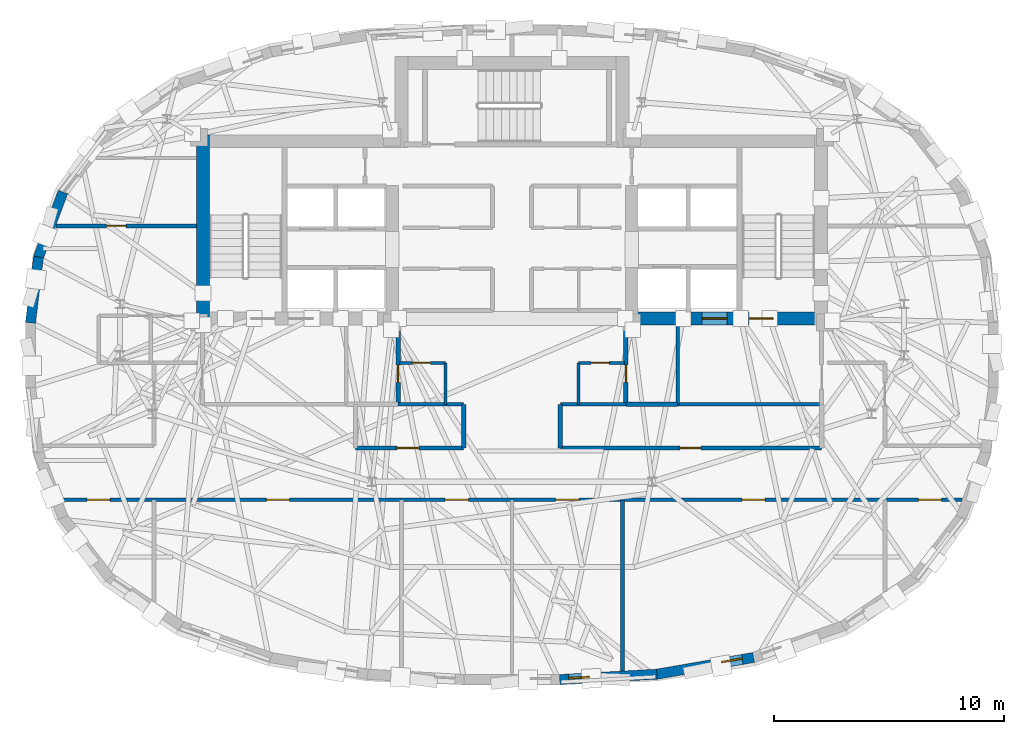
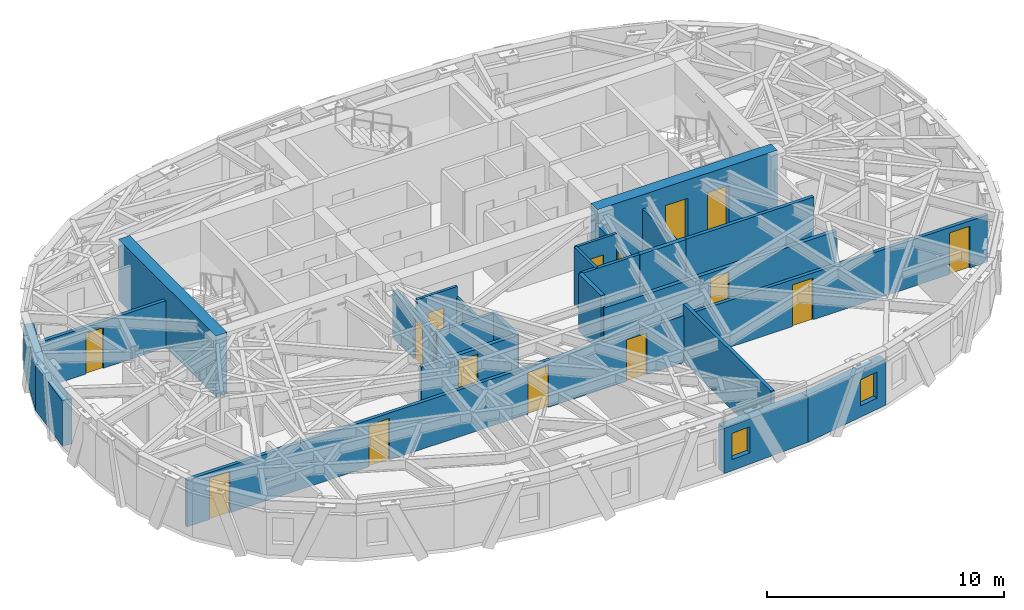
# One storey, part 6 of 12: 24 walls, 15 doors, 2 windows, 17 openings.
"""IFC4 building model written with IfcOpenShell, lengths in metres."""

from ifc_helpers import new_model, si_unit, direction, frame, frame_2d, origin, place, context, subcontext, project, spatial, rectangle, extrude, material, layer, layer_set, type_object, element, fill, save


model = new_model("IFC4")

# Units and contexts
model_context = context("Model", 3, precision=1e-05, world=origin(), true_north=direction((0.0, 1.0)))
body_context = subcontext(model_context, "Body", "Model", "MODEL_VIEW")
ifc_project = project(units=[si_unit("LENGTHUNIT", "METRE"), si_unit("AREAUNIT", "SQUARE_METRE"), si_unit("VOLUMEUNIT", "CUBIC_METRE"), si_unit("PLANEANGLEUNIT", "RADIAN"), si_unit("MASSUNIT", "GRAM", prefix="KILO")], contexts=[model_context])

# Site, building, storey
site_placement = place(None, origin())
site = spatial("IfcSite", under=ifc_project, at=site_placement, CompositionType="ELEMENT")
building_placement = place(site_placement, origin())
building = spatial("IfcBuilding", under=site, at=building_placement, Name="Keldmark Tower", CompositionType="ELEMENT")
storey_placement = place(building_placement, frame((0.0, 0.0, 247.800048828125)))
storey = spatial("IfcBuildingStorey", under=building, at=storey_placement, Name="L70", CompositionType="ELEMENT", Elevation=247.800048828125)

# Wall, opening, door
ifc_material_1 = material(Name="Heavy Acoustic Plumbing Chase Gypsum Assembly", Category="gypsum")
ifc_layer_1 = layer(ifc_material_1, 0.18994140625)
ifc_layer_set_1 = layer_set([ifc_layer_1], Name="Heavy Acoustic Plumbing Chase Gypsum Assembly")
wall_type_1 = type_object("IfcWallType", Name="Heavy Wet Wall 190 mm", PredefinedType="PLUMBINGWALL", material=ifc_layer_set_1)
wall_1_placement = place(storey_placement, frame((-6.800048828125, -4.050048828125, 0.0), z_axis=(0.0, 0.0, 1.0), x_axis=(1.0, 0.0, 0.0)))
wall_1 = element("IfcWall", 1, at=wall_1_placement, inside=storey, type_object=wall_type_1, Name="L70 Heavy Wet Wall 190 mm SPK-W-S", PredefinedType="PLUMBINGWALL", context=body_context, shape_type="SweptSolid", body=[
    extrude(rectangle(XDim=4.699951171875, YDim=0.18994140625, at=frame_2d((2.35009765625, 0.0))), origin(), (0.0, 0.0, 1.0), 2.4228515625),
])
opening_1_placement = place(wall_1_placement, frame((1.800048828125, 0.0, 0.0)))
opening_1 = element("IfcOpeningElement", 2, at=opening_1_placement, cuts=wall_1, Name="Opening D-AWC95", PredefinedType="OPENING", context=body_context, shape_type="SweptSolid", body=[
    extrude(rectangle(XDim=0.949951171875, YDim=2.14990234375, at=frame_2d((0.47509765625, 1.074951171875))), frame((0.0, 0.10498046875, 0.0), z_axis=(0.0, -1.0, 0.0), x_axis=(1.0, 0.0, 0.0)), (0.0, 0.0, 1.0), 0.2099609375),
])
ifc_material_2 = material(Name="Painted Solid-Core Architectural Wood", Category="wood")
door_type_1 = type_object("IfcDoorType", Name="Accessible WC Door 950x2150", OperationType="NOTDEFINED", PredefinedType="DOOR", material=ifc_material_2)
door_1_placement = place(opening_1_placement, origin())
door_1 = element("IfcDoor", 3, at=door_1_placement, inside=storey, type_object=door_type_1, Name="L70 Accessible WC Door 950x2150 D-SPKW1-L70", OperationType="SINGLE_SWING_LEFT", OverallHeight=2.14990234375, OverallWidth=0.949951171875, PredefinedType="DOOR", context=body_context, shape_type="SweptSolid", body=[
    extrude(rectangle(XDim=0.949951171875, YDim=2.14990234375, at=frame_2d((0.47509765625, 1.074951171875))), frame((0.0, 0.02490234375, 0.0), z_axis=(0.0, -1.0, 0.0), x_axis=(1.0, 0.0, 0.0)), (0.0, 0.0, 1.0), 0.050048828125),
])
fill(opening_1, door_1)

# Wall
wall_2_placement = place(storey_placement, frame((-2.10009765625, -4.050048828125, 0.0), z_axis=(0.0, 0.0, 1.0), x_axis=(0.0, 1.0, 0.0)))
element("IfcWall", 4, at=wall_2_placement, inside=storey, type_object=wall_type_1, Name="L70 Heavy Wet Wall 190 mm SPK-W-E", PredefinedType="PLUMBINGWALL", context=body_context, shape_type="SweptSolid", body=[
    extrude(rectangle(XDim=1.900146484375, YDim=0.18994140625, at=frame_2d((0.9501953125, 0.0))), origin(), (0.0, 0.0, 1.0), 2.4228515625),
])

# Wall, opening, door
wall_3_placement = place(storey_placement, frame((2.10009765625, -4.050048828125, 0.0), z_axis=(0.0, 0.0, 1.0), x_axis=(1.0, 0.0, 0.0)))
wall_3 = element("IfcWall", 5, at=wall_3_placement, inside=storey, type_object=wall_type_1, Name="L70 Heavy Wet Wall 190 mm SPK-E-S", PredefinedType="PLUMBINGWALL", context=body_context, shape_type="SweptSolid", body=[
    extrude(rectangle(XDim=11.349853515625, YDim=0.18994140625, at=frame_2d((5.6748046875, 0.0))), origin(), (0.0, 0.0, 1.0), 2.35693359375),
])
opening_2_placement = place(wall_3_placement, frame((5.199951171875, 0.0, 0.0)))
opening_2 = element("IfcOpeningElement", 6, at=opening_2_placement, cuts=wall_3, Name="Opening D-IN090", PredefinedType="OPENING", context=body_context, shape_type="SweptSolid", body=[
    extrude(rectangle(XDim=0.89990234375, YDim=2.10009765625, at=frame_2d((0.449951171875, 1.050048828125))), frame((0.0, 0.10498046875, 0.0), z_axis=(0.0, -1.0, 0.0), x_axis=(1.0, 0.0, 0.0)), (0.0, 0.0, 1.0), 0.2099609375),
])
ifc_material_3 = material(Name="Stained American White Oak Veneer", Category="wood")
door_type_2 = type_object("IfcDoorType", Name="Interior Door 900x2100", OperationType="NOTDEFINED", PredefinedType="DOOR", material=ifc_material_3)
door_2_placement = place(opening_2_placement, origin())
door_2 = element("IfcDoor", 7, at=door_2_placement, inside=storey, type_object=door_type_2, Name="L70 Interior Door 900x2100 D-SPKE1-L70", OperationType="SINGLE_SWING_RIGHT", OverallHeight=2.10009765625, OverallWidth=0.89990234375, PredefinedType="DOOR", context=body_context, shape_type="SweptSolid", body=[
    extrude(rectangle(XDim=0.89990234375, YDim=2.10009765625, at=frame_2d((0.449951171875, 1.050048828125))), frame((0.0, 0.02490234375, 0.0), z_axis=(0.0, -1.0, 0.0), x_axis=(1.0, 0.0, 0.0)), (0.0, 0.0, 1.0), 0.050048828125),
])
fill(opening_2, door_2)

# Walls
wall_4_placement = place(storey_placement, frame((2.10009765625, -4.050048828125, 0.0), z_axis=(0.0, 0.0, 1.0), x_axis=(0.0, 1.0, 0.0)))
element("IfcWall", 8, at=wall_4_placement, inside=storey, type_object=wall_type_1, Name="L70 Heavy Wet Wall 190 mm SPK-E-W", PredefinedType="PLUMBINGWALL", context=body_context, shape_type="SweptSolid", body=[
    extrude(rectangle(XDim=1.900146484375, YDim=0.18994140625, at=frame_2d((0.9501953125, 0.0))), origin(), (0.0, 0.0, 1.0), 2.969970703125),
])
ifc_material_4 = material(Name="Concrete C50/60", Category="concrete")
ifc_layer_2 = layer(ifc_material_4, 0.550048828125)
ifc_layer_set_2 = layer_set([ifc_layer_2], Name="Concrete C50/60")
wall_type_2 = type_object("IfcWallType", Name="High-Rise Core Shear Wall 550 mm", PredefinedType="SHEAR", material=ifc_layer_set_2)
wall_5_placement = place(storey_placement, frame((-13.425048828125, 1.300048828125, 0.0), z_axis=(0.0, 0.0, 1.0), x_axis=(0.0, 1.0, 0.0)))
element("IfcWall", 9, at=wall_5_placement, inside=storey, type_object=wall_type_2, Name="L70 West Core Outer Shear Wall", PredefinedType="SHEAR", context=body_context, shape_type="SweptSolid", body=[
    extrude(rectangle(XDim=8.25, YDim=0.550048828125, at=frame_2d((4.125, 0.0))), origin(), (0.0, 0.0, 1.0), 3.14990234375),
])

# Wall, openings, doors
wall_6_placement = place(storey_placement, frame((13.699951171875, 1.574951171875, 0.0), z_axis=(0.0, 0.0, 1.0), x_axis=(-1.0, 0.0, 0.0)))
wall_6 = element("IfcWall", 10, at=wall_6_placement, inside=storey, type_object=wall_type_2, Name="L70 East Core South Shear Wall", PredefinedType="SHEAR", context=body_context, shape_type="SweptSolid", body=[
    extrude(rectangle(XDim=8.77490234375, YDim=0.550048828125, at=frame_2d((4.387451171875, 0.0))), origin(), (0.0, 0.0, 1.0), 3.14990234375),
])
opening_3_placement = place(wall_6_placement, frame((2.35009765625, 0.0, 0.0)))
opening_3 = element("IfcOpeningElement", 11, at=opening_3_placement, cuts=wall_6, Name="Opening D-ST105", PredefinedType="OPENING", context=body_context, shape_type="SweptSolid", body=[
    extrude(rectangle(XDim=1.050048828125, YDim=2.14990234375, at=frame_2d((0.52490234375, 1.074951171875))), frame((0.0, 0.284912109375, 0.0), z_axis=(0.0, -1.0, 0.0), x_axis=(1.0, 0.0, 0.0)), (0.0, 0.0, 1.0), 0.570068359375),
])
opening_4_placement = place(wall_6_placement, frame((4.35009765625, 0.0, 0.0)))
opening_4 = element("IfcOpeningElement", 12, at=opening_4_placement, cuts=wall_6, Name="Opening LD-110", PredefinedType="OPENING", context=body_context, shape_type="SweptSolid", body=[
    extrude(rectangle(XDim=1.10009765625, YDim=2.199951171875, at=frame_2d((0.550048828125, 1.10009765625))), frame((0.0, 0.284912109375, 0.0), z_axis=(0.0, -1.0, 0.0), x_axis=(1.0, 0.0, 0.0)), (0.0, 0.0, 1.0), 0.570068359375),
])
ifc_material_5 = material(Name="Brushed Bronze Hoistway Sliding Leaf", Category="metal")
door_type_3 = type_object("IfcDoorType", Name="Lift Landing Sliding Door 1100x2200", OperationType="SLIDING_TO_LEFT", PredefinedType="DOOR", material=ifc_material_5)
door_3_placement = place(opening_4_placement, origin())
door_3 = element("IfcDoor", 13, at=door_3_placement, inside=storey, type_object=door_type_3, Name="L70 Lift Landing Sliding Door 1100x2200 LD-EL-FS2-L70", OperationType="SLIDING_TO_LEFT", OverallHeight=2.199951171875, OverallWidth=1.10009765625, PredefinedType="DOOR", context=body_context, shape_type="SweptSolid", body=[
    extrude(rectangle(XDim=1.10009765625, YDim=2.199951171875, at=frame_2d((0.550048828125, 1.10009765625))), frame((0.0, 0.02490234375, 0.0), z_axis=(0.0, -1.0, 0.0), x_axis=(1.0, 0.0, 0.0)), (0.0, 0.0, 1.0), 0.050048828125),
])
fill(opening_4, door_3)
ifc_material_6 = material(Name="Hollow Metal Fire-Rated Door Assembly", Category="metal")
door_type_4 = type_object("IfcDoorType", Name="Stair Fire Door 1050x2150", OperationType="NOTDEFINED", PredefinedType="DOOR", material=ifc_material_6)
door_4_placement = place(opening_3_placement, origin())
door_4 = element("IfcDoor", 14, at=door_4_placement, inside=storey, type_object=door_type_4, Name="L70 Stair Fire Door 1050x2150 D-ST2-L70", OperationType="SINGLE_SWING_LEFT", OverallHeight=2.14990234375, OverallWidth=1.050048828125, PredefinedType="DOOR", context=body_context, shape_type="SweptSolid", body=[
    extrude(rectangle(XDim=1.050048828125, YDim=2.14990234375, at=frame_2d((0.52490234375, 1.074951171875))), frame((0.0, 0.02490234375, 0.0), z_axis=(0.0, -1.0, 0.0), x_axis=(1.0, 0.0, 0.0)), (0.0, 0.0, 1.0), 0.050048828125),
])
fill(opening_3, door_4)

# Wall, opening, door
ifc_material_7 = material(Name="Acoustic Gypsum Board Interior Partition", Category="gypsum")
ifc_layer_3 = layer(ifc_material_7, 0.1298828125)
ifc_layer_set_3 = layer_set([ifc_layer_3], Name="Acoustic Gypsum Board Interior Partition")
wall_type_3 = type_object("IfcWallType", Name="Interior Partition 130 mm", PredefinedType="PARTITIONING", material=ifc_layer_set_3)
wall_7_placement = place(storey_placement, frame((-4.8798828125, -0.35009765625, 0.0), z_axis=(0.0, 0.0, 1.0), x_axis=(1.0, 0.0, 0.0)))
wall_7 = element("IfcWall", 15, at=wall_7_placement, inside=storey, type_object=wall_type_3, Name="L70 Interior Partition 130 mm CSC-W-N", PredefinedType="PARTITIONING", context=body_context, shape_type="SweptSolid", body=[
    extrude(rectangle(XDim=1.989990234375, YDim=0.1298828125, at=frame_2d((0.9951171875, 0.0))), origin(), (0.0, 0.0, 1.0), 2.969970703125),
])
opening_5_placement = place(wall_7_placement, frame((0.550048828125, 0.0, 0.0)))
opening_5 = element("IfcOpeningElement", 16, at=opening_5_placement, cuts=wall_7, Name="Opening D-CL078", PredefinedType="OPENING", context=body_context, shape_type="SweptSolid", body=[
    extrude(rectangle(XDim=0.780029296875, YDim=2.10009765625, at=frame_2d((0.39013671875, 1.050048828125))), frame((0.0, 0.074951171875, 0.0), z_axis=(0.0, -1.0, 0.0), x_axis=(1.0, 0.0, 0.0)), (0.0, 0.0, 1.0), 0.14990234375),
])
ifc_material_8 = material(Name="Flush Utility Closet Timber Door", Category="wood")
door_type_5 = type_object("IfcDoorType", Name="Closet Door 780x2100", OperationType="NOTDEFINED", PredefinedType="DOOR", material=ifc_material_8)
door_5_placement = place(opening_5_placement, origin())
door_5 = element("IfcDoor", 17, at=door_5_placement, inside=storey, type_object=door_type_5, Name="L70 Closet Door 780x2100 D-CSCW1-L70", OperationType="SINGLE_SWING_LEFT", OverallHeight=2.10009765625, OverallWidth=0.780029296875, PredefinedType="DOOR", context=body_context, shape_type="SweptSolid", body=[
    extrude(rectangle(XDim=0.780029296875, YDim=2.10009765625, at=frame_2d((0.39013671875, 1.050048828125))), frame((0.0, 0.02490234375, 0.0), z_axis=(0.0, -1.0, 0.0), x_axis=(1.0, 0.0, 0.0)), (0.0, 0.0, 1.0), 0.050048828125),
])
fill(opening_5, door_5)

# Wall
wall_8_placement = place(storey_placement, frame((-2.889892578125, -2.14990234375, 0.0), z_axis=(0.0, 0.0, 1.0), x_axis=(0.0, 1.0, 0.0)))
element("IfcWall", 18, at=wall_8_placement, inside=storey, type_object=wall_type_3, Name="L70 Interior Partition 130 mm CSC-W-E", PredefinedType="PARTITIONING", context=body_context, shape_type="SweptSolid", body=[
    extrude(rectangle(XDim=1.7998046875, YDim=0.1298828125, at=frame_2d((0.89990234375, 0.0))), origin(), (0.0, 0.0, 1.0), 2.4228515625),
])

# Wall, opening, door
wall_9_placement = place(storey_placement, frame((2.889892578125, -0.35009765625, 0.0), z_axis=(0.0, 0.0, 1.0), x_axis=(1.0, 0.0, 0.0)))
wall_9 = element("IfcWall", 19, at=wall_9_placement, inside=storey, type_object=wall_type_3, Name="L70 Interior Partition 130 mm CSC-E-N", PredefinedType="PARTITIONING", context=body_context, shape_type="SweptSolid", body=[
    extrude(rectangle(XDim=1.989990234375, YDim=0.1298828125, at=frame_2d((0.9951171875, 0.0))), origin(), (0.0, 0.0, 1.0), 2.969970703125),
])
opening_6_placement = place(wall_9_placement, frame((0.550048828125, 0.0, 0.0)))
opening_6 = element("IfcOpeningElement", 20, at=opening_6_placement, cuts=wall_9, Name="Opening D-CL078", PredefinedType="OPENING", context=body_context, shape_type="SweptSolid", body=[
    extrude(rectangle(XDim=0.780029296875, YDim=2.10009765625, at=frame_2d((0.39013671875, 1.050048828125))), frame((0.0, 0.074951171875, 0.0), z_axis=(0.0, -1.0, 0.0), x_axis=(1.0, 0.0, 0.0)), (0.0, 0.0, 1.0), 0.14990234375),
])
door_6_placement = place(opening_6_placement, origin())
door_6 = element("IfcDoor", 21, at=door_6_placement, inside=storey, type_object=door_type_5, Name="L70 Closet Door 780x2100 D-CSCE1-L70", OperationType="SINGLE_SWING_RIGHT", OverallHeight=2.10009765625, OverallWidth=0.780029296875, PredefinedType="DOOR", context=body_context, shape_type="SweptSolid", body=[
    extrude(rectangle(XDim=0.780029296875, YDim=2.10009765625, at=frame_2d((0.39013671875, 1.050048828125))), frame((0.0, 0.02490234375, 0.0), z_axis=(0.0, -1.0, 0.0), x_axis=(1.0, 0.0, 0.0)), (0.0, 0.0, 1.0), 0.050048828125),
])
fill(opening_6, door_6)

# Walls
wall_10_placement = place(storey_placement, frame((2.889892578125, -2.14990234375, 0.0), z_axis=(0.0, 0.0, 1.0), x_axis=(0.0, 1.0, 0.0)))
element("IfcWall", 22, at=wall_10_placement, inside=storey, type_object=wall_type_3, Name="L70 Interior Partition 130 mm CSC-E-W", PredefinedType="PARTITIONING", context=body_context, shape_type="SweptSolid", body=[
    extrude(rectangle(XDim=1.7998046875, YDim=0.1298828125, at=frame_2d((0.89990234375, 0.0))), origin(), (0.0, 0.0, 1.0), 2.969970703125),
])
ifc_material_9 = material(Name="Type X Fire-Rated Gypsum Partition Assembly", Category="gypsum")
ifc_layer_4 = layer(ifc_material_9, 0.1650390625)
ifc_layer_set_4 = layer_set([ifc_layer_4], Name="Type X Fire-Rated Gypsum Partition Assembly")
wall_type_4 = type_object("IfcWallType", Name="Rated Partition 165 mm", PredefinedType="PARTITIONING", material=ifc_layer_set_4)
wall_11_placement = place(storey_placement, frame((7.199951171875, -2.14990234375, 0.0), z_axis=(0.0, 0.0, 1.0), x_axis=(1.0, 0.0, 0.0)))
element("IfcWall", 23, at=wall_11_placement, inside=storey, type_object=wall_type_4, Name="L70 Rated Partition 165 mm FSAE-E-S", PredefinedType="PARTITIONING", context=body_context, shape_type="SweptSolid", body=[
    extrude(rectangle(XDim=6.25, YDim=0.1650390625, at=frame_2d((3.125, 0.0))), origin(), (0.0, 0.0, 1.0), 2.969970703125),
])
wall_12_placement = place(storey_placement, frame((7.199951171875, -2.14990234375, 0.0), z_axis=(0.0, 0.0, 1.0), x_axis=(0.0, 1.0, 0.0)))
element("IfcWall", 24, at=wall_12_placement, inside=storey, type_object=wall_type_4, Name="L70 Rated Partition 165 mm FSAE-E-W", PredefinedType="PARTITIONING", context=body_context, shape_type="SweptSolid", body=[
    extrude(rectangle(XDim=3.5, YDim=0.1650390625, at=frame_2d((1.75, 0.0))), origin(), (0.0, 0.0, 1.0), 2.4228515625),
])

# Wall, openings, doors
wall_13_placement = place(storey_placement, frame((-19.552490234375, -6.300048828125, 0.0), z_axis=(0.0, 0.0, 1.0), x_axis=(1.0, 0.0, 0.0)))
wall_13 = element("IfcWall", 25, at=wall_13_placement, inside=storey, type_object=wall_type_4, Name="L70 Rated Partition 165 mm RCOR-S", PredefinedType="PARTITIONING", context=body_context, shape_type="SweptSolid", body=[
    extrude(rectangle(XDim=39.10498046875, YDim=0.1650390625, at=frame_2d((19.552490234375, 0.0))), origin(), (0.0, 0.0, 1.0), 2.4228515625),
])
opening_7_placement = place(wall_13_placement, frame((1.09765625, 0.0, 0.0)))
opening_7 = element("IfcOpeningElement", 26, at=opening_7_placement, cuts=wall_13, Name="Opening D-FD100", PredefinedType="OPENING", context=body_context, shape_type="SweptSolid", body=[
    extrude(rectangle(XDim=1.0, YDim=2.14990234375, at=frame_2d((0.5, 1.074951171875))), frame((0.0, 0.092529296875, 0.0), z_axis=(0.0, -1.0, 0.0), x_axis=(1.0, 0.0, 0.0)), (0.0, 0.0, 1.0), 0.18505859375),
])
opening_8_placement = place(wall_13_placement, frame((37.211669921875, 0.0, 0.0)))
opening_8 = element("IfcOpeningElement", 27, at=opening_8_placement, cuts=wall_13, Name="Opening D-FD100", PredefinedType="OPENING", context=body_context, shape_type="SweptSolid", body=[
    extrude(rectangle(XDim=1.0, YDim=2.14990234375, at=frame_2d((0.5, 1.074951171875))), frame((0.0, 0.092529296875, 0.0), z_axis=(0.0, -1.0, 0.0), x_axis=(1.0, 0.0, 0.0)), (0.0, 0.0, 1.0), 0.18505859375),
])
opening_9_placement = place(wall_13_placement, frame((16.652587890625, 0.0, 0.0)))
opening_9 = element("IfcOpeningElement", 28, at=opening_9_placement, cuts=wall_13, Name="Opening D-FD100", PredefinedType="OPENING", context=body_context, shape_type="SweptSolid", body=[
    extrude(rectangle(XDim=1.0, YDim=2.14990234375, at=frame_2d((0.5, 1.074951171875))), frame((0.0, 0.092529296875, 0.0), z_axis=(0.0, -1.0, 0.0), x_axis=(1.0, 0.0, 0.0)), (0.0, 0.0, 1.0), 0.18505859375),
])
opening_10_placement = place(wall_13_placement, frame((21.45263671875, 0.0, 0.0)))
opening_10 = element("IfcOpeningElement", 29, at=opening_10_placement, cuts=wall_13, Name="Opening D-FD100", PredefinedType="OPENING", context=body_context, shape_type="SweptSolid", body=[
    extrude(rectangle(XDim=1.0, YDim=2.14990234375, at=frame_2d((0.5, 1.074951171875))), frame((0.0, 0.092529296875, 0.0), z_axis=(0.0, -1.0, 0.0), x_axis=(1.0, 0.0, 0.0)), (0.0, 0.0, 1.0), 0.18505859375),
])
opening_11_placement = place(wall_13_placement, frame((8.877685546875, 0.0, 0.0)))
opening_11 = element("IfcOpeningElement", 30, at=opening_11_placement, cuts=wall_13, Name="Opening D-FD100", PredefinedType="OPENING", context=body_context, shape_type="SweptSolid", body=[
    extrude(rectangle(XDim=1.0, YDim=2.14990234375, at=frame_2d((0.5, 1.074951171875))), frame((0.0, 0.092529296875, 0.0), z_axis=(0.0, -1.0, 0.0), x_axis=(1.0, 0.0, 0.0)), (0.0, 0.0, 1.0), 0.18505859375),
])
opening_12_placement = place(wall_13_placement, frame((29.552734375, 0.0, 0.0)))
opening_12 = element("IfcOpeningElement", 31, at=opening_12_placement, cuts=wall_13, Name="Opening D-FD100", PredefinedType="OPENING", context=body_context, shape_type="SweptSolid", body=[
    extrude(rectangle(XDim=1.0, YDim=2.14990234375, at=frame_2d((0.5, 1.074951171875))), frame((0.0, 0.092529296875, 0.0), z_axis=(0.0, -1.0, 0.0), x_axis=(1.0, 0.0, 0.0)), (0.0, 0.0, 1.0), 0.18505859375),
])
ifc_material_10 = material(Name="Hollow Metal Fire-Rated Corridor Door", Category="metal")
door_type_6 = type_object("IfcDoorType", Name="Fire Door 1000x2150", OperationType="NOTDEFINED", PredefinedType="DOOR", material=ifc_material_10)
door_7_placement = place(opening_7_placement, origin())
door_7 = element("IfcDoor", 32, at=door_7_placement, inside=storey, type_object=door_type_6, Name="L70 Fire Door 1000x2150 D-RSCW-L70", OperationType="SINGLE_SWING_LEFT", OverallHeight=2.14990234375, OverallWidth=1.0, PredefinedType="DOOR", context=body_context, shape_type="SweptSolid", body=[
    extrude(rectangle(XDim=1.0, YDim=2.14990234375, at=frame_2d((0.5, 1.074951171875))), frame((0.0, 0.02490234375, 0.0), z_axis=(0.0, -1.0, 0.0), x_axis=(1.0, 0.0, 0.0)), (0.0, 0.0, 1.0), 0.050048828125),
])
fill(opening_7, door_7)
door_8_placement = place(opening_8_placement, origin())
door_8 = element("IfcDoor", 33, at=door_8_placement, inside=storey, type_object=door_type_6, Name="L70 Fire Door 1000x2150 D-RSCE-L70", OperationType="SINGLE_SWING_LEFT", OverallHeight=2.14990234375, OverallWidth=1.0, PredefinedType="DOOR", context=body_context, shape_type="SweptSolid", body=[
    extrude(rectangle(XDim=1.0, YDim=2.14990234375, at=frame_2d((0.5, 1.074951171875))), frame((0.0, 0.02490234375, 0.0), z_axis=(0.0, -1.0, 0.0), x_axis=(1.0, 0.0, 0.0)), (0.0, 0.0, 1.0), 0.050048828125),
])
fill(opening_8, door_8)
door_9_placement = place(opening_9_placement, origin())
door_9 = element("IfcDoor", 34, at=door_9_placement, inside=storey, type_object=door_type_6, Name="L70 Fire Door 1000x2150 D-RST4-1-L70", OperationType="SINGLE_SWING_RIGHT", OverallHeight=2.14990234375, OverallWidth=1.0, PredefinedType="DOOR", context=body_context, shape_type="SweptSolid", body=[
    extrude(rectangle(XDim=1.0, YDim=2.14990234375, at=frame_2d((0.5, 1.074951171875))), frame((0.0, 0.02490234375, 0.0), z_axis=(0.0, -1.0, 0.0), x_axis=(1.0, 0.0, 0.0)), (0.0, 0.0, 1.0), 0.050048828125),
])
fill(opening_9, door_9)
door_10_placement = place(opening_10_placement, origin())
door_10 = element("IfcDoor", 35, at=door_10_placement, inside=storey, type_object=door_type_6, Name="L70 Fire Door 1000x2150 D-RST4-2-L70", OperationType="SINGLE_SWING_RIGHT", OverallHeight=2.14990234375, OverallWidth=1.0, PredefinedType="DOOR", context=body_context, shape_type="SweptSolid", body=[
    extrude(rectangle(XDim=1.0, YDim=2.14990234375, at=frame_2d((0.5, 1.074951171875))), frame((0.0, 0.02490234375, 0.0), z_axis=(0.0, -1.0, 0.0), x_axis=(1.0, 0.0, 0.0)), (0.0, 0.0, 1.0), 0.050048828125),
])
fill(opening_10, door_10)
door_11_placement = place(opening_11_placement, origin())
door_11 = element("IfcDoor", 36, at=door_11_placement, inside=storey, type_object=door_type_6, Name="L70 Fire Door 1000x2150 D-RST4-OW-L70", OperationType="SINGLE_SWING_LEFT", OverallHeight=2.14990234375, OverallWidth=1.0, PredefinedType="DOOR", context=body_context, shape_type="SweptSolid", body=[
    extrude(rectangle(XDim=1.0, YDim=2.14990234375, at=frame_2d((0.5, 1.074951171875))), frame((0.0, 0.02490234375, 0.0), z_axis=(0.0, -1.0, 0.0), x_axis=(1.0, 0.0, 0.0)), (0.0, 0.0, 1.0), 0.050048828125),
])
fill(opening_11, door_11)
door_12_placement = place(opening_12_placement, origin())
door_12 = element("IfcDoor", 37, at=door_12_placement, inside=storey, type_object=door_type_6, Name="L70 Fire Door 1000x2150 D-RST4-OE-L70", OperationType="SINGLE_SWING_RIGHT", OverallHeight=2.14990234375, OverallWidth=1.0, PredefinedType="DOOR", context=body_context, shape_type="SweptSolid", body=[
    extrude(rectangle(XDim=1.0, YDim=2.14990234375, at=frame_2d((0.5, 1.074951171875))), frame((0.0, 0.02490234375, 0.0), z_axis=(0.0, -1.0, 0.0), x_axis=(1.0, 0.0, 0.0)), (0.0, 0.0, 1.0), 0.050048828125),
])
fill(opening_12, door_12)

# Wall, opening, door
wall_14_placement = place(storey_placement, frame((-19.8154296875, 5.60009765625, 0.0), z_axis=(0.0, 0.0, 1.0), x_axis=(1.0, 0.0, 0.0)))
wall_14 = element("IfcWall", 38, at=wall_14_placement, inside=storey, type_object=wall_type_4, Name="L70 Rated Partition 165 mm RW-NDIV", PredefinedType="PARTITIONING", context=body_context, shape_type="SweptSolid", body=[
    extrude(rectangle(XDim=6.115478515625, YDim=0.1650390625, at=frame_2d((3.0576171875, 0.0))), origin(), (0.0, 0.0, 1.0), 2.4228515625),
])
opening_13_placement = place(wall_14_placement, frame((2.20458984375, 0.0, 0.0)))
opening_13 = element("IfcOpeningElement", 39, at=opening_13_placement, cuts=wall_14, Name="Opening D-BR085", PredefinedType="OPENING", context=body_context, shape_type="SweptSolid", body=[
    extrude(rectangle(XDim=0.85009765625, YDim=2.10009765625, at=frame_2d((0.425048828125, 1.050048828125))), frame((0.0, 0.092529296875, 0.0), z_axis=(0.0, -1.0, 0.0), x_axis=(1.0, 0.0, 0.0)), (0.0, 0.0, 1.0), 0.18505859375),
])
ifc_material_11 = material(Name="Solid-Core Stained Walnut Wood", Category="wood")
door_type_7 = type_object("IfcDoorType", Name="Bedroom Door 850x2100", OperationType="NOTDEFINED", PredefinedType="DOOR", material=ifc_material_11)
door_13_placement = place(opening_13_placement, origin())
door_13 = element("IfcDoor", 40, at=door_13_placement, inside=storey, type_object=door_type_7, Name="L70 Bedroom Door 850x2100 D-UA-BR1-L70", OperationType="SINGLE_SWING_LEFT", OverallHeight=2.10009765625, OverallWidth=0.85009765625, PredefinedType="DOOR", context=body_context, shape_type="SweptSolid", body=[
    extrude(rectangle(XDim=0.85009765625, YDim=2.10009765625, at=frame_2d((0.425048828125, 1.050048828125))), frame((0.0, 0.02490234375, 0.0), z_axis=(0.0, -1.0, 0.0), x_axis=(1.0, 0.0, 0.0)), (0.0, 0.0, 1.0), 0.050048828125),
])
fill(opening_13, door_13)

# Wall
wall_15_placement = place(storey_placement, frame((4.800048828125, -13.731689453125, 0.0), z_axis=(0.0, 0.0, 1.0), x_axis=(0.0, 1.0, 0.0)))
element("IfcWall", 41, at=wall_15_placement, inside=storey, type_object=wall_type_4, Name="L70 Rated Partition 165 mm RS-T4-E", PredefinedType="PARTITIONING", context=body_context, shape_type="SweptSolid", body=[
    extrude(rectangle(XDim=7.431640625, YDim=0.1650390625, at=frame_2d((3.7158203125, 0.0))), origin(), (0.0, 0.0, 1.0), 2.969970703125),
])

# Wall, opening, door
ifc_material_12 = material(Name="Fire-Resistant Type X Gypsum Shaftliner Coreboard", Category="gypsum")
ifc_layer_5 = layer(ifc_material_12, 0.199951171875)
ifc_layer_set_5 = layer_set([ifc_layer_5], Name="Fire-Resistant Type X Gypsum Shaftliner Coreboard")
wall_type_5 = type_object("IfcWallType", Name="Shaft Wall 200 mm", PredefinedType="SOLIDWALL", material=ifc_layer_set_5)
wall_16_placement = place(storey_placement, frame((-4.949951171875, -2.14990234375, 0.0), z_axis=(0.0, 0.0, 1.0), x_axis=(0.0, 1.0, 0.0)))
wall_16 = element("IfcWall", 42, at=wall_16_placement, inside=storey, type_object=wall_type_5, Name="L70 Shaft Wall 200 mm RIS-SW-E", PredefinedType="SOLIDWALL", context=body_context, shape_type="SweptSolid", body=[
    extrude(rectangle(XDim=3.5, YDim=0.199951171875, at=frame_2d((1.75, 0.0))), origin(), (0.0, 0.0, 1.0), 2.4228515625),
])
opening_14_placement = place(wall_16_placement, frame((0.949951171875, 0.0, 0.0)))
opening_14 = element("IfcOpeningElement", 43, at=opening_14_placement, cuts=wall_16, Name="Opening D-RS075", PredefinedType="OPENING", context=body_context, shape_type="SweptSolid", body=[
    extrude(rectangle(XDim=0.75, YDim=2.10009765625, at=frame_2d((0.375, 1.050048828125))), frame((0.0, 0.10986328125, 0.0), z_axis=(0.0, -1.0, 0.0), x_axis=(1.0, 0.0, 0.0)), (0.0, 0.0, 1.0), 0.219970703125),
])
ifc_material_13 = material(Name="Galvanized Fire-Rated Access Leaf", Category="metal")
door_type_8 = type_object("IfcDoorType", Name="Riser Access Door 750x2100", OperationType="NOTDEFINED", PredefinedType="DOOR", material=ifc_material_13)
door_14_placement = place(opening_14_placement, origin())
door_14 = element("IfcDoor", 44, at=door_14_placement, inside=storey, type_object=door_type_8, Name="L70 Riser Access Door 750x2100 D-RISSW-L70", OperationType="SINGLE_SWING_RIGHT", OverallHeight=2.10009765625, OverallWidth=0.75, PredefinedType="DOOR", context=body_context, shape_type="SweptSolid", body=[
    extrude(rectangle(XDim=0.75, YDim=2.10009765625, at=frame_2d((0.375, 1.050048828125))), frame((0.0, 0.02490234375, 0.0), z_axis=(0.0, -1.0, 0.0), x_axis=(1.0, 0.0, 0.0)), (0.0, 0.0, 1.0), 0.050048828125),
])
fill(opening_14, door_14)

# Wall
wall_17_placement = place(storey_placement, frame((4.949951171875, -2.14990234375, 0.0), z_axis=(0.0, 0.0, 1.0), x_axis=(1.0, 0.0, 0.0)))
element("IfcWall", 45, at=wall_17_placement, inside=storey, type_object=wall_type_5, Name="L70 Shaft Wall 200 mm RIS-SE-S", PredefinedType="SOLIDWALL", context=body_context, shape_type="SweptSolid", body=[
    extrude(rectangle(XDim=2.25, YDim=0.199951171875, at=frame_2d((1.125, 0.0))), origin(), (0.0, 0.0, 1.0), 2.969970703125),
])

# Wall, opening, door
wall_18_placement = place(storey_placement, frame((4.949951171875, -2.14990234375, 0.0), z_axis=(0.0, 0.0, 1.0), x_axis=(0.0, 1.0, 0.0)))
wall_18 = element("IfcWall", 46, at=wall_18_placement, inside=storey, type_object=wall_type_5, Name="L70 Shaft Wall 200 mm RIS-SE-W", PredefinedType="SOLIDWALL", context=body_context, shape_type="SweptSolid", body=[
    extrude(rectangle(XDim=3.5, YDim=0.199951171875, at=frame_2d((1.75, 0.0))), origin(), (0.0, 0.0, 1.0), 2.4228515625),
])
opening_15_placement = place(wall_18_placement, frame((0.949951171875, 0.0, 0.0)))
opening_15 = element("IfcOpeningElement", 47, at=opening_15_placement, cuts=wall_18, Name="Opening D-RS075", PredefinedType="OPENING", context=body_context, shape_type="SweptSolid", body=[
    extrude(rectangle(XDim=0.75, YDim=2.10009765625, at=frame_2d((0.375, 1.050048828125))), frame((0.0, 0.10986328125, 0.0), z_axis=(0.0, -1.0, 0.0), x_axis=(1.0, 0.0, 0.0)), (0.0, 0.0, 1.0), 0.219970703125),
])
door_15_placement = place(opening_15_placement, origin())
door_15 = element("IfcDoor", 48, at=door_15_placement, inside=storey, type_object=door_type_8, Name="L70 Riser Access Door 750x2100 D-RISSE-L70", OperationType="SINGLE_SWING_LEFT", OverallHeight=2.10009765625, OverallWidth=0.75, PredefinedType="DOOR", context=body_context, shape_type="SweptSolid", body=[
    extrude(rectangle(XDim=0.75, YDim=2.10009765625, at=frame_2d((0.375, 1.050048828125))), frame((0.0, 0.02490234375, 0.0), z_axis=(0.0, -1.0, 0.0), x_axis=(1.0, 0.0, 0.0)), (0.0, 0.0, 1.0), 0.050048828125),
])
fill(opening_15, door_15)

# Walls
ifc_material_14 = material(Name="Ironspot Manganese Brick and Kasota Buff Limestone Spandrel Assembly", Category="masonry")
ifc_layer_6 = layer(ifc_material_14, 0.43994140625)
ifc_layer_set_6 = layer_set([ifc_layer_6], Name="Ironspot Manganese Brick and Kasota Buff Limestone Spandrel Assembly")
wall_type_6 = type_object("IfcWallType", Name="Tower Brick Pier and Spandrel Wall 440 mm", PredefinedType="STANDARD", material=ifc_layer_set_6)
wall_19_placement = place(storey_placement, frame((-20.585693359375, 4.198974609375, 0.0), z_axis=(0.0, 0.0, 1.0), x_axis=(0.351786989162, 0.936080078976, 0.0)))
element("IfcWall", 49, at=wall_19_placement, inside=storey, type_object=wall_type_6, Name="L70 Exterior Brick and Spandrel Wall 14", PredefinedType="STANDARD", context=body_context, shape_type="SweptSolid", body=[
    extrude(rectangle(XDim=3.06396484375, YDim=0.43994140625, at=frame_2d((1.531982421875, 0.0))), origin(), (0.0, 0.0, 1.0), 2.3359375),
])
wall_20_placement = place(storey_placement, frame((-20.916015625, 1.38525390625, 0.0), z_axis=(0.0, 0.0, 1.0), x_axis=(0.118878304978, 0.992908831971, 0.0)))
element("IfcWall", 50, at=wall_20_placement, inside=storey, type_object=wall_type_6, Name="L70 Exterior Brick and Spandrel Wall 15", PredefinedType="STANDARD", context=body_context, shape_type="SweptSolid", body=[
    extrude(rectangle(XDim=2.885498046875, YDim=0.43994140625, at=frame_2d((1.44287109375, 0.0))), origin(), (0.0, 0.0, 1.0), 2.3359375),
])

# Wall, opening, window
wall_21_placement = place(storey_placement, frame((6.294921875, -13.877685546875, 0.0), z_axis=(0.0, 0.0, 1.0), x_axis=(-0.998487393463, -0.05498113399, 0.0)))
wall_21 = element("IfcWall", 51, at=wall_21_placement, inside=storey, type_object=wall_type_6, Name="L70 Exterior Brick and Spandrel Wall 25", PredefinedType="STANDARD", context=body_context, shape_type="SweptSolid", body=[
    extrude(rectangle(XDim=4.231689453125, YDim=0.43994140625, at=frame_2d((2.11572265625, 0.0))), origin(), (0.0, 0.0, 1.0), 2.3359375),
])
opening_16_placement = place(wall_21_placement, frame((2.93310546875, 0.0, 0.580078125)))
opening_16 = element("IfcOpeningElement", 52, at=opening_16_placement, cuts=wall_21, Name="Opening W-09", PredefinedType="OPENING", context=body_context, shape_type="SweptSolid", body=[
    extrude(rectangle(XDim=0.89990234375, YDim=1.35009765625, at=frame_2d((0.449951171875, 0.675048828125))), frame((0.0, 0.22998046875, 0.0), z_axis=(0.0, -1.0, 0.0), x_axis=(1.0, 0.0, 0.0)), (0.0, 0.0, 1.0), 0.4599609375),
])
ifc_material_15 = material(Name="Thermally Broken Anodized Aluminum and Triple Low-E Argon Glazing", Category="aluminium")
window_type = type_object("IfcWindowType", Name="Corner Pier Deep-Set Window 900x1350", PartitioningType="SINGLE_PANEL", PredefinedType="WINDOW", material=ifc_material_15)
window_1_placement = place(opening_16_placement, origin())
window_1 = element("IfcWindow", 53, at=window_1_placement, inside=storey, type_object=window_type, Name="L70 Deep-Set Window 25", OverallHeight=1.35009765625, OverallWidth=0.89990234375, PartitioningType="SINGLE_PANEL", PredefinedType="WINDOW", context=body_context, shape_type="SweptSolid", body=[
    extrude(rectangle(XDim=0.89990234375, YDim=1.35009765625, at=frame_2d((0.449951171875, 0.675048828125))), frame((0.0, -0.010009765625, 0.0), z_axis=(0.0, -1.0, 0.0), x_axis=(1.0, 0.0, 0.0)), (0.0, 0.0, 1.0), 0.06005859375),
])
fill(opening_16, window_1)

wall_22_placement = place(storey_placement, frame((10.49951171875, -13.14990234375, 0.0), z_axis=(0.0, 0.0, 1.0), x_axis=(-0.985405225971, -0.170224970641, 0.0)))
wall_22 = element("IfcWall", 54, at=wall_22_placement, inside=storey, type_object=wall_type_6, Name="L70 Exterior Brick and Spandrel Wall 26", PredefinedType="STANDARD", context=body_context, shape_type="SweptSolid", body=[
    extrude(rectangle(XDim=4.292724609375, YDim=0.43994140625, at=frame_2d((2.146484375, 0.0))), origin(), (0.0, 0.0, 1.0), 2.3359375),
])
opening_17_placement = place(wall_22_placement, frame((0.499267578125, 0.0, 0.580078125)))
opening_17 = element("IfcOpeningElement", 55, at=opening_17_placement, cuts=wall_22, Name="Opening W-09", PredefinedType="OPENING", context=body_context, shape_type="SweptSolid", body=[
    extrude(rectangle(XDim=0.89990234375, YDim=1.35009765625, at=frame_2d((0.449951171875, 0.675048828125))), frame((0.0, 0.22998046875, 0.0), z_axis=(0.0, -1.0, 0.0), x_axis=(1.0, 0.0, 0.0)), (0.0, 0.0, 1.0), 0.4599609375),
])
window_2_placement = place(opening_17_placement, origin())
window_2 = element("IfcWindow", 56, at=window_2_placement, inside=storey, type_object=window_type, Name="L70 Deep-Set Window 26", OverallHeight=1.35009765625, OverallWidth=0.89990234375, PartitioningType="SINGLE_PANEL", PredefinedType="WINDOW", context=body_context, shape_type="SweptSolid", body=[
    extrude(rectangle(XDim=0.89990234375, YDim=1.35009765625, at=frame_2d((0.449951171875, 0.675048828125))), frame((0.0, -0.010009765625, 0.0), z_axis=(0.0, -1.0, 0.0), x_axis=(1.0, 0.0, 0.0)), (0.0, 0.0, 1.0), 0.06005859375),
])
fill(opening_17, window_2)

# Walls
ifc_material_16 = material(Name="Moisture-Resistant Gypsum Plumbing Partition", Category="gypsum")
ifc_layer_7 = layer(ifc_material_16, 0.14990234375)
ifc_layer_set_7 = layer_set([ifc_layer_7], Name="Moisture-Resistant Gypsum Plumbing Partition")
wall_type_7 = type_object("IfcWallType", Name="Wet Wall 150 mm", PredefinedType="PLUMBINGWALL", material=ifc_layer_set_7)
wall_23_placement = place(storey_placement, frame((-4.949951171875, -2.14990234375, 0.0), z_axis=(0.0, 0.0, 1.0), x_axis=(1.0, 0.0, 0.0)))
element("IfcWall", 57, at=wall_23_placement, inside=storey, type_object=wall_type_7, Name="L70 Wet Wall 150 mm SPK-W-N", PredefinedType="PLUMBINGWALL", context=body_context, shape_type="SweptSolid", body=[
    extrude(rectangle(XDim=2.849853515625, YDim=0.14990234375, at=frame_2d((1.4248046875, 0.0))), origin(), (0.0, 0.0, 1.0), 2.4228515625),
])
wall_24_placement = place(storey_placement, frame((2.10009765625, -2.14990234375, 0.0), z_axis=(0.0, 0.0, 1.0), x_axis=(1.0, 0.0, 0.0)))
element("IfcWall", 58, at=wall_24_placement, inside=storey, type_object=wall_type_7, Name="L70 Wet Wall 150 mm SPK-E-N", PredefinedType="PLUMBINGWALL", context=body_context, shape_type="SweptSolid", body=[
    extrude(rectangle(XDim=2.849853515625, YDim=0.14990234375, at=frame_2d((1.4248046875, 0.0))), origin(), (0.0, 0.0, 1.0), 2.969970703125),
])

save(model, "model.ifc")
